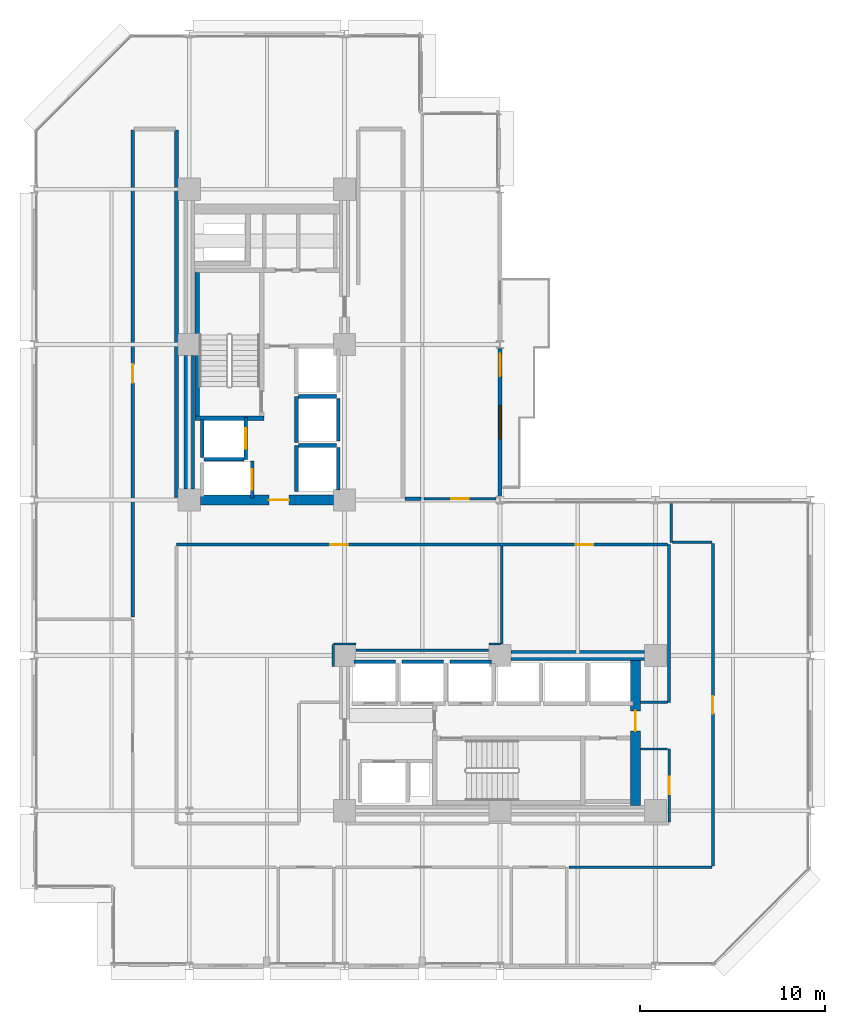
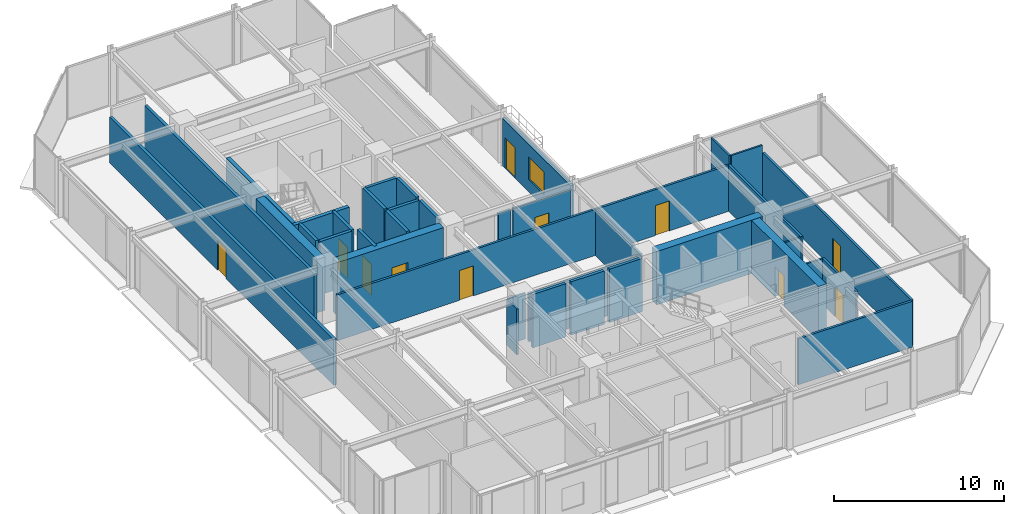
# One storey, part 25 of 30: 39 walls, 11 doors, 1 window, 12 openings.
"""IFC4 building model written with IfcOpenShell, lengths in metres."""

from ifc_helpers import new_model, si_unit, direction, frame, frame_2d, origin, place, context, subcontext, project, spatial, rectangle, extrude, material, layer, layer_set, type_object, element, fill, save


model = new_model("IFC4")

# Units and contexts
model_context = context("Model", 3, precision=1e-05, world=origin(), true_north=direction((0.0, 1.0)))
body_context = subcontext(model_context, "Body", "Model", "MODEL_VIEW")
ifc_project = project(units=[si_unit("LENGTHUNIT", "METRE"), si_unit("AREAUNIT", "SQUARE_METRE"), si_unit("VOLUMEUNIT", "CUBIC_METRE"), si_unit("PLANEANGLEUNIT", "RADIAN"), si_unit("MASSUNIT", "GRAM", prefix="KILO")], contexts=[model_context])

# Site, building, storey
site_placement = place(None, origin())
site = spatial("IfcSite", under=ifc_project, at=site_placement, CompositionType="ELEMENT")
building_placement = place(site_placement, origin())
building = spatial("IfcBuilding", under=site, at=building_placement, Name="Nerrivon Quay Data Exchange", CompositionType="ELEMENT")
storey_placement = place(building_placement, frame((0.0, 0.0, 117.199951171875)))
storey = spatial("IfcBuildingStorey", under=building, at=storey_placement, Name="L27", CompositionType="ELEMENT", Elevation=117.199951171875)

# Wall, openings, door, window
ifc_material_1 = material(Name="Architectural terracotta precast concrete N50 (50 MPa)", Category="masonry")
ifc_layer_1 = layer(ifc_material_1, 0.239990234375)
ifc_layer_set_1 = layer_set([ifc_layer_1], Name="Architectural terracotta precast concrete N50 (50 MPa)")
wall_type_1 = type_object("IfcWallType", Name="EW-PREC-240", PredefinedType="STANDARD", material=ifc_layer_set_1)
wall_1_placement = place(storey_placement, frame((25.199951171875, 33.39990234375, 0.0), z_axis=(0.0, 0.0, 1.0), x_axis=(0.0, -1.0, 0.0)))
wall_1 = element("IfcWall", 1, at=wall_1_placement, inside=storey, type_object=wall_type_1, Name="L27 Terrace Host Wall 25", PredefinedType="STANDARD", context=body_context, shape_type="SweptSolid", body=[
    extrude(rectangle(XDim=8.0, YDim=0.239990234375, at=frame_2d((4.0, 0.0))), origin(), (0.0, 0.0, 1.0), 3.422119140625),
])
opening_1_placement = place(wall_1_placement, frame((0.300048828125, 0.0, 0.0)))
opening_1 = element("IfcOpeningElement", 2, at=opening_1_placement, cuts=wall_1, Name="Opening TD1", PredefinedType="OPENING", context=body_context, shape_type="SweptSolid", body=[
    extrude(rectangle(XDim=1.199951171875, YDim=2.199951171875, at=frame_2d((0.60009765625, 1.10009765625))), frame((0.0, 0.1298828125, 0.0), z_axis=(0.0, -1.0, 0.0), x_axis=(1.0, 0.0, 0.0)), (0.0, 0.0, 1.0), 0.260009765625),
])
opening_2_placement = place(wall_1_placement, frame((3.10009765625, 0.0, 0.89990234375)))
opening_2 = element("IfcOpeningElement", 3, at=opening_2_placement, cuts=wall_1, Name="Opening WN2", PredefinedType="OPENING", context=body_context, shape_type="SweptSolid", body=[
    extrude(rectangle(XDim=1.800048828125, YDim=1.60009765625, at=frame_2d((0.89990234375, 0.800048828125))), frame((0.0, 0.1298828125, 0.0), z_axis=(0.0, -1.0, 0.0), x_axis=(1.0, 0.0, 0.0)), (0.0, 0.0, 1.0), 0.260009765625),
])
ifc_material_2 = material(Name="Double-glazed low-E solar control glass", Category="glass")
door_type_1 = type_object("IfcDoorType", Name="DR-TERR-1200x2200", OperationType="NOTDEFINED", PredefinedType="DOOR", material=ifc_material_2)
door_1_placement = place(opening_1_placement, origin())
door_1 = element("IfcDoor", 4, at=door_1_placement, inside=storey, type_object=door_type_1, Name="L27 Outdoor Terrace Access Door 25", OperationType="SINGLE_SWING_RIGHT", OverallHeight=2.199951171875, OverallWidth=1.199951171875, PredefinedType="DOOR", context=body_context, shape_type="SweptSolid", body=[
    extrude(rectangle(XDim=1.199951171875, YDim=2.199951171875, at=frame_2d((0.60009765625, 1.10009765625))), frame((0.0, 0.02490234375, 0.0), z_axis=(0.0, -1.0, 0.0), x_axis=(1.0, 0.0, 0.0)), (0.0, 0.0, 1.0), 0.050048828125),
])
fill(opening_1, door_1)
window_type = type_object("IfcWindowType", Name="WIN-W2-1800x1600", PartitioningType="SINGLE_PANEL", PredefinedType="WINDOW", material=ifc_material_2)
window_placement = place(opening_2_placement, origin())
window = element("IfcWindow", 5, at=window_placement, inside=storey, type_object=window_type, Name="L27 Terrace Side Window 25", OverallHeight=1.60009765625, OverallWidth=1.800048828125, PartitioningType="SINGLE_PANEL", PredefinedType="WINDOW", context=body_context, shape_type="SweptSolid", body=[
    extrude(rectangle(XDim=1.800048828125, YDim=1.60009765625, at=frame_2d((0.89990234375, 0.800048828125))), frame((0.0, 0.030029296875, 0.0), z_axis=(0.0, -1.0, 0.0), x_axis=(1.0, 0.0, 0.0)), (0.0, 0.0, 1.0), 0.06005859375),
])
fill(opening_2, window)

# Wall
ifc_material_3 = material(Name="Concrete S65 (65 MPa)", Category="concrete")
ifc_layer_2 = layer(ifc_material_3, 0.550048828125)
ifc_layer_set_2 = layer_set([ifc_layer_2], Name="Concrete S65 (65 MPa)")
wall_type_2 = type_object("IfcWallType", Name="WALL-CW-700", PredefinedType="SHEAR", material=ifc_layer_set_2)
wall_2_placement = place(storey_placement, frame((8.39990234375, 25.800048828125, 0.0), z_axis=(0.0, 0.0, 1.0), x_axis=(0.0, 1.0, 0.0)))
element("IfcWall", 6, at=wall_2_placement, inside=storey, type_object=wall_type_2, Name="L27 West Split-Core Shear Wall WCW-W1", PredefinedType="SHEAR", context=body_context, shape_type="SweptSolid", body=[
    extrude(rectangle(XDim=7.199951171875, YDim=0.550048828125, at=frame_2d((3.60009765625, 0.0))), origin(), (0.0, 0.0, 1.0), 3.824951171875),
])

# Wall, opening, door
wall_3_placement = place(storey_placement, frame((9.0, 25.199951171875, 0.0), z_axis=(0.0, 0.0, 1.0), x_axis=(1.0, 0.0, 0.0)))
wall_3 = element("IfcWall", 7, at=wall_3_placement, inside=storey, type_object=wall_type_2, Name="L27 West Split-Core Shear Wall WCW-S1", PredefinedType="SHEAR", context=body_context, shape_type="SweptSolid", body=[
    extrude(rectangle(XDim=7.199951171875, YDim=0.550048828125, at=frame_2d((3.60009765625, 0.0))), origin(), (0.0, 0.0, 1.0), 3.824951171875),
])
opening_3_placement = place(wall_3_placement, frame((3.699951171875, 0.0, 0.0)))
opening_3 = element("IfcOpeningElement", 8, at=opening_3_placement, cuts=wall_3, Name="Opening FD-120", PredefinedType="OPENING", context=body_context, shape_type="SweptSolid", body=[
    extrude(rectangle(XDim=1.10009765625, YDim=2.14990234375, at=frame_2d((0.550048828125, 1.074951171875))), frame((0.0, 0.284912109375, 0.0), z_axis=(0.0, -1.0, 0.0), x_axis=(1.0, 0.0, 0.0)), (0.0, 0.0, 1.0), 0.570068359375),
])
ifc_material_4 = material(Name="Powder-coated galvanized steel sheet", Category="steel")
door_type_2 = type_object("IfcDoorType", Name="DR-FD120-1100", OperationType="NOTDEFINED", PredefinedType="DOOR", material=ifc_material_4)
door_2_placement = place(opening_3_placement, origin())
door_2 = element("IfcDoor", 9, at=door_2_placement, inside=storey, type_object=door_type_2, Name="L27 West Core Lobby Fire Door", OperationType="SINGLE_SWING_LEFT", OverallHeight=2.14990234375, OverallWidth=1.10009765625, PredefinedType="DOOR", context=body_context, shape_type="SweptSolid", body=[
    extrude(rectangle(XDim=1.10009765625, YDim=2.14990234375, at=frame_2d((0.550048828125, 1.074951171875))), frame((0.0, 0.02490234375, 0.0), z_axis=(0.0, -1.0, 0.0), x_axis=(1.0, 0.0, 0.0)), (0.0, 0.0, 1.0), 0.050048828125),
])
fill(opening_3, door_2)

wall_4_placement = place(storey_placement, frame((32.52490234375, 8.675048828125, 0.0), z_axis=(0.0, 0.0, 1.0), x_axis=(0.0, 1.0, 0.0)))
wall_4 = element("IfcWall", 10, at=wall_4_placement, inside=storey, type_object=wall_type_2, Name="L27 East Split-Core Shear Wall ECW-E1", PredefinedType="SHEAR", context=body_context, shape_type="SweptSolid", body=[
    extrude(rectangle(XDim=7.849853515625, YDim=0.550048828125, at=frame_2d((3.9248046875, 0.0))), origin(), (0.0, 0.0, 1.0), 3.824951171875),
])
opening_4_placement = place(wall_4_placement, frame((4.02490234375, 0.0, 0.0)))
opening_4 = element("IfcOpeningElement", 11, at=opening_4_placement, cuts=wall_4, Name="Opening FD-120", PredefinedType="OPENING", context=body_context, shape_type="SweptSolid", body=[
    extrude(rectangle(XDim=1.10009765625, YDim=2.14990234375, at=frame_2d((0.550048828125, 1.074951171875))), frame((0.0, 0.284912109375, 0.0), z_axis=(0.0, -1.0, 0.0), x_axis=(1.0, 0.0, 0.0)), (0.0, 0.0, 1.0), 0.570068359375),
])
door_3_placement = place(opening_4_placement, origin())
door_3 = element("IfcDoor", 12, at=door_3_placement, inside=storey, type_object=door_type_2, Name="L27 East Core Lobby Fire Door", OperationType="SINGLE_SWING_RIGHT", OverallHeight=2.14990234375, OverallWidth=1.10009765625, PredefinedType="DOOR", context=body_context, shape_type="SweptSolid", body=[
    extrude(rectangle(XDim=1.10009765625, YDim=2.14990234375, at=frame_2d((0.550048828125, 1.074951171875))), frame((0.0, 0.02490234375, 0.0), z_axis=(0.0, -1.0, 0.0), x_axis=(1.0, 0.0, 0.0)), (0.0, 0.0, 1.0), 0.050048828125),
])
fill(opening_4, door_3)

# Wall
wall_5_placement = place(storey_placement, frame((25.800048828125, 16.800048828125, 0.0), z_axis=(0.0, 0.0, 1.0), x_axis=(1.0, 0.0, 0.0)))
element("IfcWall", 13, at=wall_5_placement, inside=storey, type_object=wall_type_2, Name="L27 East Split-Core Shear Wall ECW-N1", PredefinedType="SHEAR", context=body_context, shape_type="SweptSolid", body=[
    extrude(rectangle(XDim=7.199951171875, YDim=0.550048828125, at=frame_2d((3.60009765625, 0.0))), origin(), (0.0, 0.0, 1.0), 3.824951171875),
])

# Wall, opening, door
ifc_material_5 = material(Name="Gypsum plasterboard on cold-formed framing", Category="gypsum")
ifc_layer_3 = layer(ifc_material_5, 0.199951171875)
ifc_layer_set_3 = layer_set([ifc_layer_3], Name="Gypsum plasterboard on cold-formed framing")
wall_type_3 = type_object("IfcWallType", Name="WALL-FW-200", PredefinedType="PARTITIONING", material=ifc_layer_set_3)
wall_6_placement = place(storey_placement, frame((11.449951171875, 27.39990234375, 0.0), z_axis=(0.0, 0.0, 1.0), x_axis=(0.0, 1.0, 0.0)))
wall_6 = element("IfcWall", 14, at=wall_6_placement, inside=storey, type_object=wall_type_3, Name="L27 Lift Front Wall FFL-1", PredefinedType="PARTITIONING", context=body_context, shape_type="SweptSolid", body=[
    extrude(rectangle(XDim=2.25, YDim=0.199951171875, at=frame_2d((1.125, 0.0))), origin(), (0.0, 0.0, 1.0), 3.824951171875),
])
opening_5_placement = place(wall_6_placement, frame((0.574951171875, 0.0, 0.0)))
opening_5 = element("IfcOpeningElement", 15, at=opening_5_placement, cuts=wall_6, Name="Opening LD-120", PredefinedType="OPENING", context=body_context, shape_type="SweptSolid", body=[
    extrude(rectangle(XDim=1.10009765625, YDim=2.199951171875, at=frame_2d((0.550048828125, 1.10009765625))), frame((0.0, 0.10986328125, 0.0), z_axis=(0.0, -1.0, 0.0), x_axis=(1.0, 0.0, 0.0)), (0.0, 0.0, 1.0), 0.219970703125),
])
door_type_3 = type_object("IfcDoorType", Name="DR-LIFT-LD120", OperationType="DOUBLE_DOOR_SLIDING", PredefinedType="DOOR", material=ifc_material_4)
door_4_placement = place(opening_5_placement, origin())
door_4 = element("IfcDoor", 16, at=door_4_placement, inside=storey, type_object=door_type_3, Name="L27 Lift Landing Sliding Door FFL-1", OperationType="DOUBLE_DOOR_SLIDING", OverallHeight=2.199951171875, OverallWidth=1.10009765625, PredefinedType="DOOR", context=body_context, shape_type="SweptSolid", body=[
    extrude(rectangle(XDim=1.10009765625, YDim=2.199951171875, at=frame_2d((0.550048828125, 1.10009765625))), frame((0.0, 0.02490234375, 0.0), z_axis=(0.0, -1.0, 0.0), x_axis=(1.0, 0.0, 0.0)), (0.0, 0.0, 1.0), 0.050048828125),
])
fill(opening_5, door_4)

# Walls
wall_7_placement = place(storey_placement, frame((9.10009765625, 27.5, 0.0), z_axis=(0.0, 0.0, 1.0), x_axis=(0.0, 1.0, 0.0)))
element("IfcWall", 17, at=wall_7_placement, inside=storey, type_object=wall_type_3, Name="L27 Lift Shaft Wall FFL-1 WEST", PredefinedType="PARTITIONING", context=body_context, shape_type="SweptSolid", body=[
    extrude(rectangle(XDim=2.050048828125, YDim=0.199951171875, at=frame_2d((1.02490234375, 0.0))), origin(), (0.0, 0.0, 1.0), 3.824951171875),
])
wall_8_placement = place(storey_placement, frame((9.199951171875, 27.39990234375, 0.0), z_axis=(0.0, 0.0, 1.0), x_axis=(1.0, 0.0, 0.0)))
element("IfcWall", 18, at=wall_8_placement, inside=storey, type_object=wall_type_3, Name="L27 Lift Shaft Wall FFL-1 SOUTH", PredefinedType="PARTITIONING", context=body_context, shape_type="SweptSolid", body=[
    extrude(rectangle(XDim=2.150146484375, YDim=0.199951171875, at=frame_2d((1.0751953125, 0.0))), origin(), (0.0, 0.0, 1.0), 3.824951171875),
])

# Wall, opening, door
wall_9_placement = place(storey_placement, frame((11.800048828125, 25.300048828125, 0.0), z_axis=(0.0, 0.0, 1.0), x_axis=(0.0, 1.0, 0.0)))
wall_9 = element("IfcWall", 19, at=wall_9_placement, inside=storey, type_object=wall_type_3, Name="L27 Lift Front Wall SVL-1", PredefinedType="PARTITIONING", context=body_context, shape_type="SweptSolid", body=[
    extrude(rectangle(XDim=2.0, YDim=0.199951171875, at=frame_2d((1.0, 0.0))), origin(), (0.0, 0.0, 1.0), 3.824951171875),
])
opening_6_placement = place(wall_9_placement, frame((0.449951171875, 0.0, 0.0)))
opening_6 = element("IfcOpeningElement", 20, at=opening_6_placement, cuts=wall_9, Name="Opening LD-120", PredefinedType="OPENING", context=body_context, shape_type="SweptSolid", body=[
    extrude(rectangle(XDim=1.10009765625, YDim=2.199951171875, at=frame_2d((0.550048828125, 1.10009765625))), frame((0.0, 0.10986328125, 0.0), z_axis=(0.0, -1.0, 0.0), x_axis=(1.0, 0.0, 0.0)), (0.0, 0.0, 1.0), 0.219970703125),
])
door_5_placement = place(opening_6_placement, origin())
door_5 = element("IfcDoor", 21, at=door_5_placement, inside=storey, type_object=door_type_3, Name="L27 Lift Landing Sliding Door SVL-1", OperationType="DOUBLE_DOOR_SLIDING", OverallHeight=2.199951171875, OverallWidth=1.10009765625, PredefinedType="DOOR", context=body_context, shape_type="SweptSolid", body=[
    extrude(rectangle(XDim=1.10009765625, YDim=2.199951171875, at=frame_2d((0.550048828125, 1.10009765625))), frame((0.0, 0.02490234375, 0.0), z_axis=(0.0, -1.0, 0.0), x_axis=(1.0, 0.0, 0.0)), (0.0, 0.0, 1.0), 0.050048828125),
])
fill(opening_6, door_5)

# Walls
wall_10_placement = place(storey_placement, frame((14.199951171875, 25.64990234375, 0.0), z_axis=(0.0, 0.0, 1.0), x_axis=(0.0, 1.0, 0.0)))
element("IfcWall", 22, at=wall_10_placement, inside=storey, type_object=wall_type_3, Name="L27 Lift Front Wall PL1", PredefinedType="PARTITIONING", context=body_context, shape_type="SweptSolid", body=[
    extrude(rectangle(XDim=2.5, YDim=0.199951171875, at=frame_2d((1.25, 0.0))), origin(), (0.0, 0.0, 1.0), 3.824951171875),
])
wall_11_placement = place(storey_placement, frame((16.449951171875, 25.75, 0.0), z_axis=(0.0, 0.0, 1.0), x_axis=(0.0, 1.0, 0.0)))
element("IfcWall", 23, at=wall_11_placement, inside=storey, type_object=wall_type_3, Name="L27 Lift Shaft Wall PL1 EAST", PredefinedType="PARTITIONING", context=body_context, shape_type="SweptSolid", body=[
    extrude(rectangle(XDim=2.300048828125, YDim=0.199951171875, at=frame_2d((1.14990234375, 0.0))), origin(), (0.0, 0.0, 1.0), 3.824951171875),
])
wall_12_placement = place(storey_placement, frame((14.300048828125, 28.14990234375, 0.0), z_axis=(0.0, 0.0, 1.0), x_axis=(1.0, 0.0, 0.0)))
element("IfcWall", 24, at=wall_12_placement, inside=storey, type_object=wall_type_3, Name="L27 Lift Shaft Wall PL1 NORTH", PredefinedType="PARTITIONING", context=body_context, shape_type="SweptSolid", body=[
    extrude(rectangle(XDim=2.050048828125, YDim=0.199951171875, at=frame_2d((1.02490234375, 0.0))), origin(), (0.0, 0.0, 1.0), 3.824951171875),
])
wall_13_placement = place(storey_placement, frame((14.199951171875, 28.300048828125, 0.0), z_axis=(0.0, 0.0, 1.0), x_axis=(0.0, 1.0, 0.0)))
element("IfcWall", 25, at=wall_13_placement, inside=storey, type_object=wall_type_3, Name="L27 Lift Front Wall PL2", PredefinedType="PARTITIONING", context=body_context, shape_type="SweptSolid", body=[
    extrude(rectangle(XDim=2.5, YDim=0.199951171875, at=frame_2d((1.25, 0.0))), origin(), (0.0, 0.0, 1.0), 3.824951171875),
])
wall_14_placement = place(storey_placement, frame((16.449951171875, 28.39990234375, 0.0), z_axis=(0.0, 0.0, 1.0), x_axis=(0.0, 1.0, 0.0)))
element("IfcWall", 26, at=wall_14_placement, inside=storey, type_object=wall_type_3, Name="L27 Lift Shaft Wall PL2 EAST", PredefinedType="PARTITIONING", context=body_context, shape_type="SweptSolid", body=[
    extrude(rectangle(XDim=2.300048828125, YDim=0.199951171875, at=frame_2d((1.14990234375, 0.0))), origin(), (0.0, 0.0, 1.0), 3.824951171875),
])
wall_15_placement = place(storey_placement, frame((14.300048828125, 30.800048828125, 0.0), z_axis=(0.0, 0.0, 1.0), x_axis=(1.0, 0.0, 0.0)))
element("IfcWall", 27, at=wall_15_placement, inside=storey, type_object=wall_type_3, Name="L27 Lift Shaft Wall PL2 NORTH", PredefinedType="PARTITIONING", context=body_context, shape_type="SweptSolid", body=[
    extrude(rectangle(XDim=2.050048828125, YDim=0.199951171875, at=frame_2d((1.02490234375, 0.0))), origin(), (0.0, 0.0, 1.0), 3.824951171875),
])
for number, where, z_axis, x_axis, name in (
    (28, (17.300048828125, 16.449951171875, 0.0), (0.0, 0.0, 1.0), (1.0, 0.0, 0.0), "L27 Lift Shaft Wall PL4 NORTH"),
    (29, (19.89990234375, 16.449951171875, 0.0), (0.0, 0.0, 1.0), (1.0, 0.0, 0.0), "L27 Lift Shaft Wall PL5 NORTH"),
    (30, (22.5, 16.449951171875, 0.0), (0.0, 0.0, 1.0), (1.0, 0.0, 0.0), "L27 Lift Shaft Wall PL6 NORTH"),
):
    element("IfcWall", number, at=place(storey_placement, frame(where, z_axis=z_axis, x_axis=x_axis)), inside=storey, type_object=wall_type_3, Name=name, PredefinedType="PARTITIONING", context=body_context, shape_type="SweptSolid", body=[
        extrude(rectangle(XDim=2.25, YDim=0.199951171875, at=frame_2d((1.125, 0.0))), origin(), (0.0, 0.0, 1.0), 3.824951171875),
    ])
wall_16_placement = place(storey_placement, frame((20.06396484375, 25.260009765625, 0.0), z_axis=(0.0, 0.0, 1.0), x_axis=(1.0, 0.0, 0.0)))
element("IfcWall", 31, at=wall_16_placement, inside=storey, type_object=wall_type_3, Name="L27 Partition Colocation Data Workspace 1", PredefinedType="PARTITIONING", context=body_context, shape_type="SweptSolid", body=[
    extrude(rectangle(XDim=0.85693359375, YDim=0.199951171875, at=frame_2d((0.428466796875, 0.0))), origin(), (0.0, 0.0, 1.0), 3.2919921875),
])

# Wall, opening, door
wall_17_placement = place(storey_placement, frame((5.340087890625, 18.8671875, 0.0), z_axis=(0.0, 0.0, 1.0), x_axis=(0.0, 1.0, 0.0)))
wall_17 = element("IfcWall", 32, at=wall_17_placement, inside=storey, type_object=wall_type_3, Name="L27 Partition Colocation Data Workspace 1", PredefinedType="PARTITIONING", context=body_context, shape_type="SweptSolid", body=[
    extrude(rectangle(XDim=26.332763671875, YDim=0.199951171875, at=frame_2d((13.16650390625, 0.0))), origin(), (0.0, 0.0, 1.0), 3.2919921875),
])
opening_7_placement = place(wall_17_placement, frame((12.66650390625, 0.0, 0.0)))
opening_7 = element("IfcOpeningElement", 33, at=opening_7_placement, cuts=wall_17, Name="Opening FD-60", PredefinedType="OPENING", context=body_context, shape_type="SweptSolid", body=[
    extrude(rectangle(XDim=1.0, YDim=2.14990234375, at=frame_2d((0.5, 1.074951171875))), frame((0.0, 0.10986328125, 0.0), z_axis=(0.0, -1.0, 0.0), x_axis=(1.0, 0.0, 0.0)), (0.0, 0.0, 1.0), 0.219970703125),
])
ifc_material_6 = material(Name="Engineered hardwood timber", Category="wood")
door_type_4 = type_object("IfcDoorType", Name="DR-FD60-1000", OperationType="NOTDEFINED", PredefinedType="DOOR", material=ifc_material_6)
door_6_placement = place(opening_7_placement, origin())
door_6 = element("IfcDoor", 34, at=door_6_placement, inside=storey, type_object=door_type_4, Name="L27 Door Colocation Data Workspace 1", OperationType="SINGLE_SWING_RIGHT", OverallHeight=2.14990234375, OverallWidth=1.0, PredefinedType="DOOR", context=body_context, shape_type="SweptSolid", body=[
    extrude(rectangle(XDim=1.0, YDim=2.14990234375, at=frame_2d((0.5, 1.074951171875))), frame((0.0, 0.02490234375, 0.0), z_axis=(0.0, -1.0, 0.0), x_axis=(1.0, 0.0, 0.0)), (0.0, 0.0, 1.0), 0.050048828125),
])
fill(opening_7, door_6)

# Walls
wall_18_placement = place(storey_placement, frame((7.709716796875, 45.205810546875, 0.0), z_axis=(0.0, 0.0, 1.0), x_axis=(1.2240202e-05, -0.999999999925, 0.0)))
element("IfcWall", 35, at=wall_18_placement, inside=storey, type_object=wall_type_3, Name="L27 Partition Colocation Data Workspace 1", PredefinedType="PARTITIONING", context=body_context, shape_type="SweptSolid", body=[
    extrude(rectangle(XDim=19.94580078125, YDim=0.199951171875, at=frame_2d((9.972900390625, 0.0))), origin(), (0.0, 0.0, 1.0), 3.2919921875),
])
ifc_layer_4 = layer(ifc_material_5, 0.1201171875)
ifc_layer_set_4 = layer_set([ifc_layer_4], Name="Gypsum plasterboard on cold-formed framing")
wall_type_4 = type_object("IfcWallType", Name="WALL-PT-120", PredefinedType="PARTITIONING", material=ifc_layer_set_4)
wall_19_placement = place(storey_placement, frame((34.2685546875, 11.739990234375, 0.0), z_axis=(0.0, 0.0, 1.0), x_axis=(-1.0, 0.0, 0.0)))
element("IfcWall", 36, at=wall_19_placement, inside=storey, type_object=wall_type_4, Name="L27 Partition Staff Pantry", PredefinedType="PARTITIONING", context=body_context, shape_type="SweptSolid", body=[
    extrude(rectangle(XDim=1.464599609375, YDim=0.1201171875, at=frame_2d((0.732421875, 0.0))), origin(), (0.0, 0.0, 1.0), 3.297119140625),
])
wall_20_placement = place(storey_placement, frame((32.803955078125, 14.260009765625, 0.0), z_axis=(0.0, 0.0, 1.0), x_axis=(1.0, 0.0, 0.0)))
element("IfcWall", 37, at=wall_20_placement, inside=storey, type_object=wall_type_4, Name="L27 Partition Peering Huddle Meeting Room", PredefinedType="PARTITIONING", context=body_context, shape_type="SweptSolid", body=[
    extrude(rectangle(XDim=1.45703125, YDim=0.1201171875, at=frame_2d((0.728515625, 0.0))), origin(), (0.0, 0.0, 1.0), 3.297119140625),
])
wall_21_placement = place(storey_placement, frame((16.180908203125, 16.194091796875, 0.0), z_axis=(0.0, 0.0, 1.0), x_axis=(-0.000809880277, 0.999999672047, 0.0)))
element("IfcWall", 38, at=wall_21_placement, inside=storey, type_object=wall_type_4, Name="L27 Partition Staff Bistro", PredefinedType="PARTITIONING", context=body_context, shape_type="SweptSolid", body=[
    extrude(rectangle(XDim=1.205810546875, YDim=0.1201171875, at=frame_2d((0.60302734375, 0.0))), origin(), (0.0, 0.0, 1.0), 3.2919921875),
])
wall_22_placement = place(storey_placement, frame((16.194091796875, 17.419189453125, 0.0), z_axis=(0.0, 0.0, 1.0), x_axis=(1.0, 0.0, 0.0)))
element("IfcWall", 39, at=wall_22_placement, inside=storey, type_object=wall_type_4, Name="L27 Partition Staff Bistro", PredefinedType="PARTITIONING", context=body_context, shape_type="SweptSolid", body=[
    extrude(rectangle(XDim=1.211669921875, YDim=0.1201171875, at=frame_2d((0.60595703125, 0.0))), origin(), (0.0, 0.0, 1.0), 3.297119140625),
])
wall_23_placement = place(storey_placement, frame((24.60009765625, 17.419921875, 0.0), z_axis=(0.0, 0.0, 1.0), x_axis=(1.0, 0.0, 0.0)))
element("IfcWall", 40, at=wall_23_placement, inside=storey, type_object=wall_type_4, Name="L27 Partition Staff Bistro", PredefinedType="PARTITIONING", context=body_context, shape_type="SweptSolid", body=[
    extrude(rectangle(XDim=0.6142578125, YDim=0.1201171875, at=frame_2d((0.30712890625, 0.0))), origin(), (0.0, 0.0, 1.0), 3.297119140625),
])
wall_24_placement = place(storey_placement, frame((34.4599609375, 25.031005859375, 0.0), z_axis=(0.0, 0.0, 1.0), x_axis=(0.0, -1.0, 0.0)))
element("IfcWall", 41, at=wall_24_placement, inside=storey, type_object=wall_type_4, Name="L27 Partition Technical Library", PredefinedType="PARTITIONING", context=body_context, shape_type="SweptSolid", body=[
    extrude(rectangle(XDim=2.12109375, YDim=0.1201171875, at=frame_2d((1.060546875, 0.0))), origin(), (0.0, 0.0, 1.0), 3.824951171875),
])
wall_25_placement = place(storey_placement, frame((34.52392578125, 22.909912109375, 0.0), z_axis=(0.0, 0.0, 1.0), x_axis=(1.0, 0.0, 0.0)))
element("IfcWall", 42, at=wall_25_placement, inside=storey, type_object=wall_type_4, Name="L27 Partition Technical Library", PredefinedType="PARTITIONING", context=body_context, shape_type="SweptSolid", body=[
    extrude(rectangle(XDim=2.1259765625, YDim=0.1201171875, at=frame_2d((1.06298828125, 0.0))), origin(), (0.0, 0.0, 1.0), 3.824951171875),
])

# Wall, opening, door
ifc_layer_5 = layer(ifc_material_5, 0.135009765625)
ifc_layer_set_5 = layer_set([ifc_layer_5], Name="Gypsum plasterboard on cold-formed framing")
wall_type_5 = type_object("IfcWallType", Name="WALL-PT-135", PredefinedType="PARTITIONING", material=ifc_layer_set_5)
wall_26_placement = place(storey_placement, frame((34.340087890625, 7.7890625, 0.0), z_axis=(0.0, 0.0, 1.0), x_axis=(0.0, 1.0, 0.0)))
wall_26 = element("IfcWall", 43, at=wall_26_placement, inside=storey, type_object=wall_type_5, Name="L27 Partition Staff Pantry", PredefinedType="PARTITIONING", context=body_context, shape_type="SweptSolid", body=[
    extrude(rectangle(XDim=3.950927734375, YDim=0.135009765625, at=frame_2d((1.9755859375, 0.0))), origin(), (0.0, 0.0, 1.0), 3.2919921875),
])
opening_8_placement = place(wall_26_placement, frame((1.50048828125, 0.0, 0.0)))
opening_8 = element("IfcOpeningElement", 44, at=opening_8_placement, cuts=wall_26, Name="Opening D-01", PredefinedType="OPENING", context=body_context, shape_type="SweptSolid", body=[
    extrude(rectangle(XDim=0.949951171875, YDim=2.14990234375, at=frame_2d((0.47509765625, 1.074951171875))), frame((0.0, 0.077392578125, 0.0), z_axis=(0.0, -1.0, 0.0), x_axis=(1.0, 0.0, 0.0)), (0.0, 0.0, 1.0), 0.155029296875),
])
door_type_5 = type_object("IfcDoorType", Name="DR-INT-950", OperationType="NOTDEFINED", PredefinedType="DOOR", material=ifc_material_6)
door_7_placement = place(opening_8_placement, origin())
door_7 = element("IfcDoor", 45, at=door_7_placement, inside=storey, type_object=door_type_5, Name="L27 Door Staff Pantry", OperationType="SINGLE_SWING_LEFT", OverallHeight=2.14990234375, OverallWidth=0.949951171875, PredefinedType="DOOR", context=body_context, shape_type="SweptSolid", body=[
    extrude(rectangle(XDim=0.949951171875, YDim=2.14990234375, at=frame_2d((0.47509765625, 1.074951171875))), frame((0.0, 0.02490234375, 0.0), z_axis=(0.0, -1.0, 0.0), x_axis=(1.0, 0.0, 0.0)), (0.0, 0.0, 1.0), 0.050048828125),
])
fill(opening_8, door_7)

# Wall
wall_27_placement = place(storey_placement, frame((25.285888671875, 22.7109375, 0.0), z_axis=(0.0, 0.0, 1.0), x_axis=(0.0, -1.0, 0.0)))
element("IfcWall", 46, at=wall_27_placement, inside=storey, type_object=wall_type_5, Name="L27 Partition Peering Huddle Meeting Room", PredefinedType="PARTITIONING", context=body_context, shape_type="SweptSolid", body=[
    extrude(rectangle(XDim=5.291015625, YDim=0.135009765625, at=frame_2d((2.6455078125, 0.0))), origin(), (0.0, 0.0, 1.0), 3.297119140625),
])

# Wall, opening, door
wall_28_placement = place(storey_placement, frame((21.0791015625, 25.260009765625, 0.0), z_axis=(0.0, 0.0, 1.0), x_axis=(1.0, 0.0, 0.0)))
wall_28 = element("IfcWall", 47, at=wall_28_placement, inside=storey, type_object=wall_type_5, Name="L27 Partition Technical Library", PredefinedType="PARTITIONING", context=body_context, shape_type="SweptSolid", body=[
    extrude(rectangle(XDim=3.90087890625, YDim=0.135009765625, at=frame_2d((1.950439453125, 0.0))), origin(), (0.0, 0.0, 1.0), 3.2919921875),
])
opening_9_placement = place(wall_28_placement, frame((1.4755859375, 0.0, 0.0)))
opening_9 = element("IfcOpeningElement", 48, at=opening_9_placement, cuts=wall_28, Name="Opening D-01", PredefinedType="OPENING", context=body_context, shape_type="SweptSolid", body=[
    extrude(rectangle(XDim=0.949951171875, YDim=2.14990234375, at=frame_2d((0.47509765625, 1.074951171875))), frame((0.0, 0.077392578125, 0.0), z_axis=(0.0, -1.0, 0.0), x_axis=(1.0, 0.0, 0.0)), (0.0, 0.0, 1.0), 0.155029296875),
])
door_8_placement = place(opening_9_placement, origin())
door_8 = element("IfcDoor", 49, at=door_8_placement, inside=storey, type_object=door_type_5, Name="L27 Door Technical Library", OperationType="SINGLE_SWING_LEFT", OverallHeight=2.14990234375, OverallWidth=0.949951171875, PredefinedType="DOOR", context=body_context, shape_type="SweptSolid", body=[
    extrude(rectangle(XDim=0.949951171875, YDim=2.14990234375, at=frame_2d((0.47509765625, 1.074951171875))), frame((0.0, 0.02490234375, 0.0), z_axis=(0.0, -1.0, 0.0), x_axis=(1.0, 0.0, 0.0)), (0.0, 0.0, 1.0), 0.050048828125),
])
fill(opening_9, door_8)

# Wall
ifc_layer_6 = layer(ifc_material_5, 0.14990234375)
ifc_layer_set_6 = layer_set([ifc_layer_6], Name="Gypsum plasterboard on cold-formed framing")
wall_type_6 = type_object("IfcWallType", Name="WALL-PT-150", PredefinedType="PARTITIONING", material=ifc_layer_set_6)
wall_29_placement = place(storey_placement, frame((34.340087890625, 14.260009765625, 0.0), z_axis=(0.0, 0.0, 1.0), x_axis=(0.0, 1.0, 0.0)))
element("IfcWall", 50, at=wall_29_placement, inside=storey, type_object=wall_type_6, Name="L27 Partition Peering Huddle Meeting Room", PredefinedType="PARTITIONING", context=body_context, shape_type="SweptSolid", body=[
    extrude(rectangle(XDim=8.530029296875, YDim=0.14990234375, at=frame_2d((4.26513671875, 0.0))), origin(), (0.0, 0.0, 1.0), 3.2919921875),
])

# Wall, opening, door
wall_30_placement = place(storey_placement, frame((34.260986328125, 22.7900390625, 0.0), z_axis=(0.0, 0.0, 1.0), x_axis=(-1.0, 0.0, 0.0)))
wall_30 = element("IfcWall", 51, at=wall_30_placement, inside=storey, type_object=wall_type_6, Name="L27 Partition Peering Huddle Meeting Room", PredefinedType="PARTITIONING", context=body_context, shape_type="SweptSolid", body=[
    extrude(rectangle(XDim=8.97509765625, YDim=0.14990234375, at=frame_2d((4.487548828125, 0.0))), origin(), (0.0, 0.0, 1.0), 3.297119140625),
])
opening_10_placement = place(wall_30_placement, frame((4.0126953125, 0.0, 0.0)))
opening_10 = element("IfcOpeningElement", 52, at=opening_10_placement, cuts=wall_30, Name="Opening D-01", PredefinedType="OPENING", context=body_context, shape_type="SweptSolid", body=[
    extrude(rectangle(XDim=0.949951171875, YDim=2.14990234375, at=frame_2d((0.47509765625, 1.074951171875))), frame((0.0, 0.0849609375, 0.0), z_axis=(0.0, -1.0, 0.0), x_axis=(1.0, 0.0, 0.0)), (0.0, 0.0, 1.0), 0.169921875),
])
door_9_placement = place(opening_10_placement, origin())
door_9 = element("IfcDoor", 53, at=door_9_placement, inside=storey, type_object=door_type_5, Name="L27 Door Peering Huddle Meeting Room", OperationType="SINGLE_SWING_LEFT", OverallHeight=2.14990234375, OverallWidth=0.949951171875, PredefinedType="DOOR", context=body_context, shape_type="SweptSolid", body=[
    extrude(rectangle(XDim=0.949951171875, YDim=2.14990234375, at=frame_2d((0.47509765625, 1.074951171875))), frame((0.0, 0.02490234375, 0.0), z_axis=(0.0, -1.0, 0.0), x_axis=(1.0, 0.0, 0.0)), (0.0, 0.0, 1.0), 0.050048828125),
])
fill(opening_10, door_9)

# Wall
wall_31_placement = place(storey_placement, frame((17.419921875, 17.074951171875, 0.0), z_axis=(0.0, 0.0, 1.0), x_axis=(1.0, 0.0, 0.0)))
element("IfcWall", 54, at=wall_31_placement, inside=storey, type_object=wall_type_6, Name="L27 Partition Staff Bistro", PredefinedType="PARTITIONING", context=body_context, shape_type="SweptSolid", body=[
    extrude(rectangle(XDim=7.16015625, YDim=0.14990234375, at=frame_2d((3.580078125, 0.0))), origin(), (0.0, 0.0, 1.0), 3.468994140625),
])

# Wall, opening, door
wall_32_placement = place(storey_placement, frame((25.265869140625, 22.7900390625, 0.0), z_axis=(0.0, 0.0, 1.0), x_axis=(-1.0, 0.0, 0.0)))
wall_32 = element("IfcWall", 55, at=wall_32_placement, inside=storey, type_object=wall_type_6, Name="L27 Partition Staff Bistro", PredefinedType="PARTITIONING", context=body_context, shape_type="SweptSolid", body=[
    extrude(rectangle(XDim=17.555908203125, YDim=0.14990234375, at=frame_2d((8.77783203125, 0.0))), origin(), (0.0, 0.0, 1.0), 3.297119140625),
])
opening_11_placement = place(wall_32_placement, frame((8.302978515625, 0.0, 0.0)))
opening_11 = element("IfcOpeningElement", 56, at=opening_11_placement, cuts=wall_32, Name="Opening D-01", PredefinedType="OPENING", context=body_context, shape_type="SweptSolid", body=[
    extrude(rectangle(XDim=0.949951171875, YDim=2.14990234375, at=frame_2d((0.47509765625, 1.074951171875))), frame((0.0, 0.0849609375, 0.0), z_axis=(0.0, -1.0, 0.0), x_axis=(1.0, 0.0, 0.0)), (0.0, 0.0, 1.0), 0.169921875),
])
door_10_placement = place(opening_11_placement, origin())
door_10 = element("IfcDoor", 57, at=door_10_placement, inside=storey, type_object=door_type_5, Name="L27 Door Staff Bistro", OperationType="SINGLE_SWING_LEFT", OverallHeight=2.14990234375, OverallWidth=0.949951171875, PredefinedType="DOOR", context=body_context, shape_type="SweptSolid", body=[
    extrude(rectangle(XDim=0.949951171875, YDim=2.14990234375, at=frame_2d((0.47509765625, 1.074951171875))), frame((0.0, 0.02490234375, 0.0), z_axis=(0.0, -1.0, 0.0), x_axis=(1.0, 0.0, 0.0)), (0.0, 0.0, 1.0), 0.050048828125),
])
fill(opening_11, door_10)

# Wall
wall_33_placement = place(storey_placement, frame((36.64990234375, 5.340087890625, 0.0), z_axis=(0.0, 0.0, 1.0), x_axis=(-1.0, 0.0, 0.0)))
element("IfcWall", 58, at=wall_33_placement, inside=storey, type_object=wall_type_6, Name="L27 Partition Technical Library", PredefinedType="PARTITIONING", context=body_context, shape_type="SweptSolid", body=[
    extrude(rectangle(XDim=7.72998046875, YDim=0.14990234375, at=frame_2d((3.864990234375, 0.0))), origin(), (0.0, 0.0, 1.0), 3.297119140625),
])

# Wall, opening, door
wall_34_placement = place(storey_placement, frame((36.7099609375, 22.85009765625, 0.0), z_axis=(0.0, 0.0, 1.0), x_axis=(0.0, -1.0, 0.0)))
wall_34 = element("IfcWall", 59, at=wall_34_placement, inside=storey, type_object=wall_type_6, Name="L27 Partition Technical Library", PredefinedType="PARTITIONING", context=body_context, shape_type="SweptSolid", body=[
    extrude(rectangle(XDim=17.4501953125, YDim=0.14990234375, at=frame_2d((8.72509765625, 0.0))), origin(), (0.0, 0.0, 1.0), 3.2919921875),
])
opening_12_placement = place(wall_34_placement, frame((8.25, 0.0, 0.0)))
opening_12 = element("IfcOpeningElement", 60, at=opening_12_placement, cuts=wall_34, Name="Opening D-01", PredefinedType="OPENING", context=body_context, shape_type="SweptSolid", body=[
    extrude(rectangle(XDim=0.949951171875, YDim=2.14990234375, at=frame_2d((0.47509765625, 1.074951171875))), frame((0.0, 0.0849609375, 0.0), z_axis=(0.0, -1.0, 0.0), x_axis=(1.0, 0.0, 0.0)), (0.0, 0.0, 1.0), 0.169921875),
])
door_11_placement = place(opening_12_placement, origin())
door_11 = element("IfcDoor", 61, at=door_11_placement, inside=storey, type_object=door_type_5, Name="L27 Door Technical Library", OperationType="SINGLE_SWING_RIGHT", OverallHeight=2.14990234375, OverallWidth=0.949951171875, PredefinedType="DOOR", context=body_context, shape_type="SweptSolid", body=[
    extrude(rectangle(XDim=0.949951171875, YDim=2.14990234375, at=frame_2d((0.47509765625, 1.074951171875))), frame((0.0, 0.02490234375, 0.0), z_axis=(0.0, -1.0, 0.0), x_axis=(1.0, 0.0, 0.0)), (0.0, 0.0, 1.0), 0.050048828125),
])
fill(opening_12, door_11)

# Walls
ifc_material_7 = material(Name="Concrete N50 (50 MPa)", Category="concrete")
ifc_layer_7 = layer(ifc_material_7, 0.25)
ifc_layer_set_7 = layer_set([ifc_layer_7], Name="Concrete N50 (50 MPa)")
wall_type_7 = type_object("IfcWallType", Name="WALL-SW-250", PredefinedType="SHEAR", material=ifc_layer_set_7)
wall_35_placement = place(storey_placement, frame((12.449951171875, 29.625, 0.0), z_axis=(0.0, 0.0, 1.0), x_axis=(-1.0, 0.0, 0.0)))
element("IfcWall", 62, at=wall_35_placement, inside=storey, type_object=wall_type_7, Name="L27 ST01 Structural Stair Core Wall NEAR", PredefinedType="SHEAR", context=body_context, shape_type="SweptSolid", body=[
    extrude(rectangle(XDim=3.75, YDim=0.25, at=frame_2d((1.875, 0.0))), origin(), (0.0, 0.0, 1.0), 3.824951171875),
])
wall_36_placement = place(storey_placement, frame((8.824951171875, 29.75, 0.0), z_axis=(0.0, 0.0, 1.0), x_axis=(0.0, 1.0, 0.0)))
element("IfcWall", 63, at=wall_36_placement, inside=storey, type_object=wall_type_7, Name="L27 ST01 Structural Stair Core Wall RIGHT", PredefinedType="SHEAR", context=body_context, shape_type="SweptSolid", body=[
    extrude(rectangle(XDim=7.75, YDim=0.25, at=frame_2d((3.875, 0.0))), origin(), (0.0, 0.0, 1.0), 3.824951171875),
])

save(model, "model.ifc")
